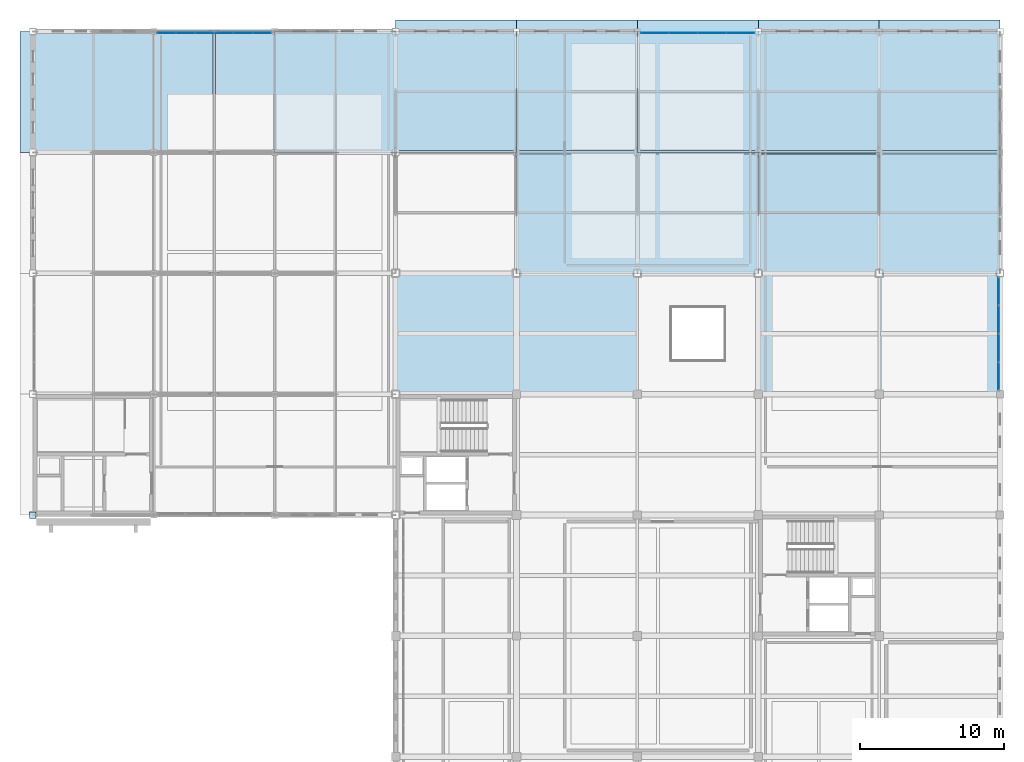
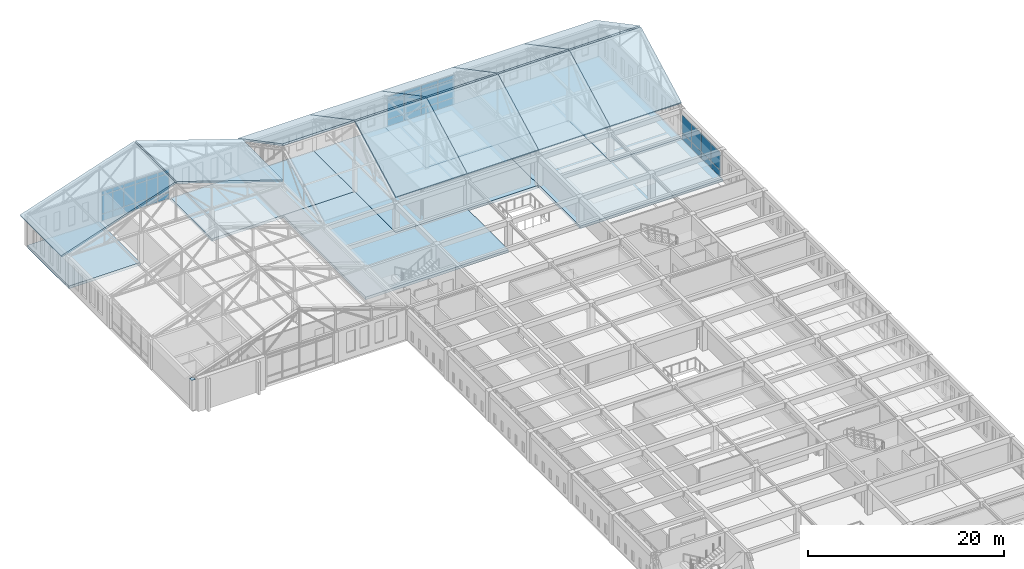
# One storey, part 32 of 56: 39 plates, 17 slabs, 3 elements without a shape of their own.
"""IFC4 building model written with IfcOpenShell, lengths in metres."""

from ifc_helpers import new_model, si_unit, direction, frame, origin, origin_2d, place, context, subcontext, project, spatial, polyline, rectangle, outline, extrude, material, layer, layer_set, type_object, element, aggregate, save


model = new_model("IFC4")

# Units and contexts
model_context = context("Model", 3, precision=1e-05, world=origin(), true_north=direction((0.0, 1.0)))
body_context = subcontext(model_context, "Body", "Model", "MODEL_VIEW")
ifc_project = project(units=[si_unit("LENGTHUNIT", "METRE"), si_unit("AREAUNIT", "SQUARE_METRE"), si_unit("VOLUMEUNIT", "CUBIC_METRE"), si_unit("PLANEANGLEUNIT", "RADIAN"), si_unit("MASSUNIT", "GRAM", prefix="KILO")], contexts=[model_context])

# Site, building, storey
site_placement = place(None, origin())
site = spatial("IfcSite", under=ifc_project, at=site_placement, CompositionType="ELEMENT")
building_placement = place(site_placement, origin())
building = spatial("IfcBuilding", under=site, at=building_placement, Name="Kveldsbrygga Polytechnic", CompositionType="ELEMENT")
storey_placement = place(building_placement, frame((0.0, 0.0, 18.02001953125)))
storey = spatial("IfcBuildingStorey", under=building, at=storey_placement, Name="L04", CompositionType="ELEMENT", Elevation=18.02001953125)

# Plate
ifc_material_1 = material(Name="Steel S355", Category="steel")
ifc_layer_1 = layer(ifc_material_1, 0.030029296875)
ifc_layer_set_1 = layer_set([ifc_layer_1], Name="Steel S355")
plate_type_1 = type_object("IfcPlateType", Name="CAP-BEAR-450", PredefinedType="SHEET", material=ifc_layer_set_1)
plate_1_placement = place(storey_placement, frame((100.800048828125, 84.0, 3.75), z_axis=(0.0, 0.0, 1.0), x_axis=(1.0, 0.0, 0.0)))
element("IfcPlate", 1, at=plate_1_placement, inside=storey, type_object=plate_type_1, Name="Truss Bearing Plate V4NE5-T01-A", PredefinedType="SHEET", context=body_context, shape_type="SweptSolid", body=[
    extrude(rectangle(XDim=0.449951171875, YDim=0.449951171875, at=origin_2d()), origin(), (0.0, 0.0, 1.0), 0.030029296875),
])

# Curtain wall, plates
ifc_material_2 = material(Name="Anodised aluminium AW-6060", Category="aluminium")
ifc_layer_2 = layer(ifc_material_2, 0.179931640625)
ifc_layer_set_2 = layer_set([ifc_layer_2], Name="Anodised aluminium AW-6060")
curtain_wall_type_1 = type_object("IfcCurtainWallType", Name="CW-CONC-A", PredefinedType="USERDEFINED", material=ifc_layer_set_2)
curtain_wall_1_placement = place(storey_placement, origin())
curtain_wall_1 = element("IfcCurtainWall", 2, at=curtain_wall_1_placement, inside=storey, type_object=curtain_wall_type_1, Name="Curtain Wall CW-L04-X-13-14", ObjectType="UNITISED CURTAIN WALL", PredefinedType="USERDEFINED")
ifc_material_3 = material(Name="Insulated triple low-E glass", Category="glass")
ifc_layer_3 = layer(ifc_material_3, 0.035888671875)
ifc_layer_set_3 = layer_set([ifc_layer_3], Name="Insulated triple low-E glass")
plate_type_2 = type_object("IfcPlateType", Name="CW-PAN-VIS36", PredefinedType="CURTAIN_PANEL", material=ifc_layer_set_3)
plate_2_placement = place(storey_placement, frame((110.076171875, 117.5, 0.06005859375), z_axis=(0.0, 0.0, 1.0), x_axis=(1.0, 0.0, 0.0)))
plate_2 = element("IfcPlate", 3, at=plate_2_placement, type_object=plate_type_2, Name="CW-01 panel 1.1", PredefinedType="CURTAIN_PANEL", context=body_context, shape_type="SweptSolid", body=[
    extrude(rectangle(XDim=1.242431640625, YDim=0.035888671875, at=origin_2d()), origin(), (0.0, 0.0, 1.0), 0.81005859375),
])
plate_3_placement = place(storey_placement, frame((110.076171875, 117.5, 0.929931640625), z_axis=(0.0, 0.0, 1.0), x_axis=(1.0, 0.0, 0.0)))
plate_3 = element("IfcPlate", 4, at=plate_3_placement, type_object=plate_type_2, Name="CW-01 panel 1.2", PredefinedType="CURTAIN_PANEL", context=body_context, shape_type="SweptSolid", body=[
    extrude(rectangle(XDim=1.242431640625, YDim=0.035888671875, at=origin_2d()), origin(), (0.0, 0.0, 1.0), 2.27001953125),
])
plate_4_placement = place(storey_placement, frame((110.076171875, 117.5, 3.260009765625), z_axis=(0.0, 0.0, 1.0), x_axis=(1.0, 0.0, 0.0)))
plate_4 = element("IfcPlate", 5, at=plate_4_placement, type_object=plate_type_2, Name="CW-01 panel 1.3", PredefinedType="CURTAIN_PANEL", context=body_context, shape_type="SweptSolid", body=[
    extrude(rectangle(XDim=1.242431640625, YDim=0.035888671875, at=origin_2d()), origin(), (0.0, 0.0, 1.0), 0.4599609375),
])
plate_5_placement = place(storey_placement, frame((111.393798828125, 117.5, 0.06005859375), z_axis=(0.0, 0.0, 1.0), x_axis=(1.0, 0.0, 0.0)))
plate_5 = element("IfcPlate", 6, at=plate_5_placement, type_object=plate_type_2, Name="CW-01 panel 2.1", PredefinedType="CURTAIN_PANEL", context=body_context, shape_type="SweptSolid", body=[
    extrude(rectangle(XDim=1.2724609375, YDim=0.035888671875, at=origin_2d()), origin(), (0.0, 0.0, 1.0), 0.81005859375),
])
plate_6_placement = place(storey_placement, frame((111.393798828125, 117.5, 0.929931640625), z_axis=(0.0, 0.0, 1.0), x_axis=(1.0, 0.0, 0.0)))
plate_6 = element("IfcPlate", 7, at=plate_6_placement, type_object=plate_type_2, Name="CW-01 panel 2.2", PredefinedType="CURTAIN_PANEL", context=body_context, shape_type="SweptSolid", body=[
    extrude(rectangle(XDim=1.2724609375, YDim=0.035888671875, at=origin_2d()), origin(), (0.0, 0.0, 1.0), 2.27001953125),
])
plate_7_placement = place(storey_placement, frame((111.393798828125, 117.5, 3.260009765625), z_axis=(0.0, 0.0, 1.0), x_axis=(1.0, 0.0, 0.0)))
plate_7 = element("IfcPlate", 8, at=plate_7_placement, type_object=plate_type_2, Name="CW-01 panel 2.3", PredefinedType="CURTAIN_PANEL", context=body_context, shape_type="SweptSolid", body=[
    extrude(rectangle(XDim=1.2724609375, YDim=0.035888671875, at=origin_2d()), origin(), (0.0, 0.0, 1.0), 0.4599609375),
])
plate_8_placement = place(storey_placement, frame((112.726318359375, 117.5, 0.06005859375), z_axis=(0.0, 0.0, 1.0), x_axis=(1.0, 0.0, 0.0)))
plate_8 = element("IfcPlate", 9, at=plate_8_placement, type_object=plate_type_2, Name="CW-01 panel 3.1", PredefinedType="CURTAIN_PANEL", context=body_context, shape_type="SweptSolid", body=[
    extrude(rectangle(XDim=1.2724609375, YDim=0.035888671875, at=origin_2d()), origin(), (0.0, 0.0, 1.0), 0.81005859375),
])
plate_9_placement = place(storey_placement, frame((112.726318359375, 117.5, 0.929931640625), z_axis=(0.0, 0.0, 1.0), x_axis=(1.0, 0.0, 0.0)))
plate_9 = element("IfcPlate", 10, at=plate_9_placement, type_object=plate_type_2, Name="CW-01 panel 3.2", PredefinedType="CURTAIN_PANEL", context=body_context, shape_type="SweptSolid", body=[
    extrude(rectangle(XDim=1.2724609375, YDim=0.035888671875, at=origin_2d()), origin(), (0.0, 0.0, 1.0), 2.27001953125),
])
plate_10_placement = place(storey_placement, frame((112.726318359375, 117.5, 3.260009765625), z_axis=(0.0, 0.0, 1.0), x_axis=(1.0, 0.0, 0.0)))
plate_10 = element("IfcPlate", 11, at=plate_10_placement, type_object=plate_type_2, Name="CW-01 panel 3.3", PredefinedType="CURTAIN_PANEL", context=body_context, shape_type="SweptSolid", body=[
    extrude(rectangle(XDim=1.2724609375, YDim=0.035888671875, at=origin_2d()), origin(), (0.0, 0.0, 1.0), 0.4599609375),
])
plate_11_placement = place(storey_placement, frame((114.058837890625, 117.5, 0.06005859375), z_axis=(0.0, 0.0, 1.0), x_axis=(1.0, 0.0, 0.0)))
plate_11 = element("IfcPlate", 12, at=plate_11_placement, type_object=plate_type_2, Name="CW-01 panel 4.1", PredefinedType="CURTAIN_PANEL", context=body_context, shape_type="SweptSolid", body=[
    extrude(rectangle(XDim=1.2724609375, YDim=0.035888671875, at=origin_2d()), origin(), (0.0, 0.0, 1.0), 0.81005859375),
])
plate_12_placement = place(storey_placement, frame((114.058837890625, 117.5, 0.929931640625), z_axis=(0.0, 0.0, 1.0), x_axis=(1.0, 0.0, 0.0)))
plate_12 = element("IfcPlate", 13, at=plate_12_placement, type_object=plate_type_2, Name="CW-01 panel 4.2", PredefinedType="CURTAIN_PANEL", context=body_context, shape_type="SweptSolid", body=[
    extrude(rectangle(XDim=1.2724609375, YDim=0.035888671875, at=origin_2d()), origin(), (0.0, 0.0, 1.0), 2.27001953125),
])
plate_13_placement = place(storey_placement, frame((114.058837890625, 117.5, 3.260009765625), z_axis=(0.0, 0.0, 1.0), x_axis=(1.0, 0.0, 0.0)))
plate_13 = element("IfcPlate", 14, at=plate_13_placement, type_object=plate_type_2, Name="CW-01 panel 4.3", PredefinedType="CURTAIN_PANEL", context=body_context, shape_type="SweptSolid", body=[
    extrude(rectangle(XDim=1.2724609375, YDim=0.035888671875, at=origin_2d()), origin(), (0.0, 0.0, 1.0), 0.4599609375),
])
plate_14_placement = place(storey_placement, frame((115.391357421875, 117.5, 0.06005859375), z_axis=(0.0, 0.0, 1.0), x_axis=(1.0, 0.0, 0.0)))
plate_14 = element("IfcPlate", 15, at=plate_14_placement, type_object=plate_type_2, Name="CW-01 panel 5.1", PredefinedType="CURTAIN_PANEL", context=body_context, shape_type="SweptSolid", body=[
    extrude(rectangle(XDim=1.2724609375, YDim=0.035888671875, at=origin_2d()), origin(), (0.0, 0.0, 1.0), 0.81005859375),
])
plate_15_placement = place(storey_placement, frame((115.391357421875, 117.5, 0.929931640625), z_axis=(0.0, 0.0, 1.0), x_axis=(1.0, 0.0, 0.0)))
plate_15 = element("IfcPlate", 16, at=plate_15_placement, type_object=plate_type_2, Name="CW-01 panel 5.2", PredefinedType="CURTAIN_PANEL", context=body_context, shape_type="SweptSolid", body=[
    extrude(rectangle(XDim=1.2724609375, YDim=0.035888671875, at=origin_2d()), origin(), (0.0, 0.0, 1.0), 2.27001953125),
])
plate_16_placement = place(storey_placement, frame((115.391357421875, 117.5, 3.260009765625), z_axis=(0.0, 0.0, 1.0), x_axis=(1.0, 0.0, 0.0)))
plate_16 = element("IfcPlate", 17, at=plate_16_placement, type_object=plate_type_2, Name="CW-01 panel 5.3", PredefinedType="CURTAIN_PANEL", context=body_context, shape_type="SweptSolid", body=[
    extrude(rectangle(XDim=1.2724609375, YDim=0.035888671875, at=origin_2d()), origin(), (0.0, 0.0, 1.0), 0.4599609375),
])
plate_17_placement = place(storey_placement, frame((116.708740234375, 117.5, 0.06005859375), z_axis=(0.0, 0.0, 1.0), x_axis=(1.0, 0.0, 0.0)))
plate_17 = element("IfcPlate", 18, at=plate_17_placement, type_object=plate_type_2, Name="CW-01 panel 6.1", PredefinedType="CURTAIN_PANEL", context=body_context, shape_type="SweptSolid", body=[
    extrude(rectangle(XDim=1.242431640625, YDim=0.035888671875, at=origin_2d()), origin(), (0.0, 0.0, 1.0), 0.81005859375),
])
plate_18_placement = place(storey_placement, frame((116.708740234375, 117.5, 0.929931640625), z_axis=(0.0, 0.0, 1.0), x_axis=(1.0, 0.0, 0.0)))
plate_18 = element("IfcPlate", 19, at=plate_18_placement, type_object=plate_type_2, Name="CW-01 panel 6.2", PredefinedType="CURTAIN_PANEL", context=body_context, shape_type="SweptSolid", body=[
    extrude(rectangle(XDim=1.242431640625, YDim=0.035888671875, at=origin_2d()), origin(), (0.0, 0.0, 1.0), 2.27001953125),
])
plate_19_placement = place(storey_placement, frame((116.708740234375, 117.5, 3.260009765625), z_axis=(0.0, 0.0, 1.0), x_axis=(1.0, 0.0, 0.0)))
plate_19 = element("IfcPlate", 20, at=plate_19_placement, type_object=plate_type_2, Name="CW-01 panel 6.3", PredefinedType="CURTAIN_PANEL", context=body_context, shape_type="SweptSolid", body=[
    extrude(rectangle(XDim=1.242431640625, YDim=0.035888671875, at=origin_2d()), origin(), (0.0, 0.0, 1.0), 0.4599609375),
])
aggregate(curtain_wall_1, [plate_2, plate_3, plate_4, plate_5, plate_6, plate_7, plate_8, plate_9, plate_10, plate_11, plate_12, plate_13, plate_14, plate_15, plate_16, plate_17, plate_18, plate_19])

ifc_layer_4 = layer(ifc_material_2, 0.199951171875)
ifc_layer_set_4 = layer_set([ifc_layer_4], Name="Anodised aluminium AW-6060")
curtain_wall_type_2 = type_object("IfcCurtainWallType", Name="CW-LANC-E", PredefinedType="USERDEFINED", material=ifc_layer_set_4)
curtain_wall_2_placement = place(storey_placement, origin())
curtain_wall_2 = element("IfcCurtainWall", 21, at=curtain_wall_2_placement, inside=storey, type_object=curtain_wall_type_2, Name="Curtain Wall CW-L04-X-17-14", ObjectType="UNITISED CURTAIN WALL", PredefinedType="USERDEFINED")
ifc_layer_5 = layer(ifc_material_3, 0.0419921875)
ifc_layer_set_5 = layer_set([ifc_layer_5], Name="Insulated triple low-E glass")
plate_type_3 = type_object("IfcPlateType", Name="CW-PAN-VIS42", PredefinedType="CURTAIN_PANEL", material=ifc_layer_set_5)
plate_20_placement = place(storey_placement, frame((144.007568359375, 117.5, 0.06005859375), z_axis=(0.0, 0.0, 1.0), x_axis=(1.0, 0.0, 0.0)))
plate_20 = element("IfcPlate", 22, at=plate_20_placement, type_object=plate_type_3, Name="CW-05 panel 1.1", PredefinedType="CURTAIN_PANEL", context=body_context, shape_type="SweptSolid", body=[
    extrude(rectangle(XDim=1.905029296875, YDim=0.0419921875, at=origin_2d()), origin(), (0.0, 0.0, 1.0), 0.81005859375),
])
plate_21_placement = place(storey_placement, frame((144.007568359375, 117.5, 0.929931640625), z_axis=(0.0, 0.0, 1.0), x_axis=(1.0, 0.0, 0.0)))
plate_21 = element("IfcPlate", 23, at=plate_21_placement, type_object=plate_type_3, Name="CW-05 panel 1.2", PredefinedType="CURTAIN_PANEL", context=body_context, shape_type="SweptSolid", body=[
    extrude(rectangle(XDim=1.905029296875, YDim=0.0419921875, at=origin_2d()), origin(), (0.0, 0.0, 1.0), 2.27001953125),
])
plate_22_placement = place(storey_placement, frame((144.007568359375, 117.5, 3.260009765625), z_axis=(0.0, 0.0, 1.0), x_axis=(1.0, 0.0, 0.0)))
plate_22 = element("IfcPlate", 24, at=plate_22_placement, type_object=plate_type_3, Name="CW-05 panel 1.3", PredefinedType="CURTAIN_PANEL", context=body_context, shape_type="SweptSolid", body=[
    extrude(rectangle(XDim=1.905029296875, YDim=0.0419921875, at=origin_2d()), origin(), (0.0, 0.0, 1.0), 0.4599609375),
])
plate_23_placement = place(storey_placement, frame((145.987548828125, 117.5, 0.06005859375), z_axis=(0.0, 0.0, 1.0), x_axis=(1.0, 0.0, 0.0)))
plate_23 = element("IfcPlate", 25, at=plate_23_placement, type_object=plate_type_3, Name="CW-05 panel 2.1", PredefinedType="CURTAIN_PANEL", context=body_context, shape_type="SweptSolid", body=[
    extrude(rectangle(XDim=1.93505859375, YDim=0.0419921875, at=origin_2d()), origin(), (0.0, 0.0, 1.0), 0.81005859375),
])
plate_24_placement = place(storey_placement, frame((145.987548828125, 117.5, 0.929931640625), z_axis=(0.0, 0.0, 1.0), x_axis=(1.0, 0.0, 0.0)))
plate_24 = element("IfcPlate", 26, at=plate_24_placement, type_object=plate_type_3, Name="CW-05 panel 2.2", PredefinedType="CURTAIN_PANEL", context=body_context, shape_type="SweptSolid", body=[
    extrude(rectangle(XDim=1.93505859375, YDim=0.0419921875, at=origin_2d()), origin(), (0.0, 0.0, 1.0), 2.27001953125),
])
plate_25_placement = place(storey_placement, frame((145.987548828125, 117.5, 3.260009765625), z_axis=(0.0, 0.0, 1.0), x_axis=(1.0, 0.0, 0.0)))
plate_25 = element("IfcPlate", 27, at=plate_25_placement, type_object=plate_type_3, Name="CW-05 panel 2.3", PredefinedType="CURTAIN_PANEL", context=body_context, shape_type="SweptSolid", body=[
    extrude(rectangle(XDim=1.93505859375, YDim=0.0419921875, at=origin_2d()), origin(), (0.0, 0.0, 1.0), 0.4599609375),
])
plate_26_placement = place(storey_placement, frame((147.982421875, 117.5, 0.06005859375), z_axis=(0.0, 0.0, 1.0), x_axis=(1.0, 0.0, 0.0)))
plate_26 = element("IfcPlate", 28, at=plate_26_placement, type_object=plate_type_3, Name="CW-05 panel 3.1", PredefinedType="CURTAIN_PANEL", context=body_context, shape_type="SweptSolid", body=[
    extrude(rectangle(XDim=1.93505859375, YDim=0.0419921875, at=origin_2d()), origin(), (0.0, 0.0, 1.0), 0.81005859375),
])
plate_27_placement = place(storey_placement, frame((147.982421875, 117.5, 0.929931640625), z_axis=(0.0, 0.0, 1.0), x_axis=(1.0, 0.0, 0.0)))
plate_27 = element("IfcPlate", 29, at=plate_27_placement, type_object=plate_type_3, Name="CW-05 panel 3.2", PredefinedType="CURTAIN_PANEL", context=body_context, shape_type="SweptSolid", body=[
    extrude(rectangle(XDim=1.93505859375, YDim=0.0419921875, at=origin_2d()), origin(), (0.0, 0.0, 1.0), 2.27001953125),
])
plate_28_placement = place(storey_placement, frame((147.982421875, 117.5, 3.260009765625), z_axis=(0.0, 0.0, 1.0), x_axis=(1.0, 0.0, 0.0)))
plate_28 = element("IfcPlate", 30, at=plate_28_placement, type_object=plate_type_3, Name="CW-05 panel 3.3", PredefinedType="CURTAIN_PANEL", context=body_context, shape_type="SweptSolid", body=[
    extrude(rectangle(XDim=1.93505859375, YDim=0.0419921875, at=origin_2d()), origin(), (0.0, 0.0, 1.0), 0.4599609375),
])
plate_29_placement = place(storey_placement, frame((149.96240234375, 117.5, 0.06005859375), z_axis=(0.0, 0.0, 1.0), x_axis=(1.0, 0.0, 0.0)))
plate_29 = element("IfcPlate", 31, at=plate_29_placement, type_object=plate_type_3, Name="CW-05 panel 4.1", PredefinedType="CURTAIN_PANEL", context=body_context, shape_type="SweptSolid", body=[
    extrude(rectangle(XDim=1.905029296875, YDim=0.0419921875, at=origin_2d()), origin(), (0.0, 0.0, 1.0), 0.81005859375),
])
plate_30_placement = place(storey_placement, frame((149.96240234375, 117.5, 0.929931640625), z_axis=(0.0, 0.0, 1.0), x_axis=(1.0, 0.0, 0.0)))
plate_30 = element("IfcPlate", 32, at=plate_30_placement, type_object=plate_type_3, Name="CW-05 panel 4.2", PredefinedType="CURTAIN_PANEL", context=body_context, shape_type="SweptSolid", body=[
    extrude(rectangle(XDim=1.905029296875, YDim=0.0419921875, at=origin_2d()), origin(), (0.0, 0.0, 1.0), 2.27001953125),
])
plate_31_placement = place(storey_placement, frame((149.96240234375, 117.5, 3.260009765625), z_axis=(0.0, 0.0, 1.0), x_axis=(1.0, 0.0, 0.0)))
plate_31 = element("IfcPlate", 33, at=plate_31_placement, type_object=plate_type_3, Name="CW-05 panel 4.3", PredefinedType="CURTAIN_PANEL", context=body_context, shape_type="SweptSolid", body=[
    extrude(rectangle(XDim=1.905029296875, YDim=0.0419921875, at=origin_2d()), origin(), (0.0, 0.0, 1.0), 0.4599609375),
])
aggregate(curtain_wall_2, [plate_20, plate_21, plate_22, plate_23, plate_24, plate_25, plate_26, plate_27, plate_28, plate_29, plate_30, plate_31])

curtain_wall_3_placement = place(storey_placement, origin())
curtain_wall_3 = element("IfcCurtainWall", 34, at=curtain_wall_3_placement, inside=storey, type_object=curtain_wall_type_2, Name="Curtain Wall CW-L04-Y-20-11", ObjectType="UNITISED CURTAIN WALL", PredefinedType="USERDEFINED")
plate_32_placement = place(storey_placement, frame((167.89990234375, 93.64697265625, 0.06005859375), z_axis=(0.0, 0.0, 1.0), x_axis=(0.0, 1.0, 0.0)))
plate_32 = element("IfcPlate", 35, at=plate_32_placement, type_object=plate_type_3, Name="CW-05 panel 1.1", PredefinedType="CURTAIN_PANEL", context=body_context, shape_type="SweptSolid", body=[
    extrude(rectangle(XDim=1.8837890625, YDim=0.0419921875, at=origin_2d()), origin(), (0.0, 0.0, 1.0), 0.81005859375),
])
plate_33_placement = place(storey_placement, frame((167.89990234375, 93.64697265625, 0.929931640625), z_axis=(0.0, 0.0, 1.0), x_axis=(0.0, 1.0, 0.0)))
plate_33 = element("IfcPlate", 36, at=plate_33_placement, type_object=plate_type_3, Name="CW-05 panel 1.2", PredefinedType="CURTAIN_PANEL", context=body_context, shape_type="SweptSolid", body=[
    extrude(rectangle(XDim=1.8837890625, YDim=0.0419921875, at=origin_2d()), origin(), (0.0, 0.0, 1.0), 2.18994140625),
])
plate_34_placement = place(storey_placement, frame((167.89990234375, 95.605712890625, 0.06005859375), z_axis=(0.0, 0.0, 1.0), x_axis=(0.0, 1.0, 0.0)))
plate_34 = element("IfcPlate", 37, at=plate_34_placement, type_object=plate_type_3, Name="CW-05 panel 2.1", PredefinedType="CURTAIN_PANEL", context=body_context, shape_type="SweptSolid", body=[
    extrude(rectangle(XDim=1.913818359375, YDim=0.0419921875, at=origin_2d()), origin(), (0.0, 0.0, 1.0), 0.81005859375),
])
plate_35_placement = place(storey_placement, frame((167.89990234375, 95.605712890625, 0.929931640625), z_axis=(0.0, 0.0, 1.0), x_axis=(0.0, 1.0, 0.0)))
plate_35 = element("IfcPlate", 38, at=plate_35_placement, type_object=plate_type_3, Name="CW-05 panel 2.2", PredefinedType="CURTAIN_PANEL", context=body_context, shape_type="SweptSolid", body=[
    extrude(rectangle(XDim=1.913818359375, YDim=0.0419921875, at=origin_2d()), origin(), (0.0, 0.0, 1.0), 2.18994140625),
])
plate_36_placement = place(storey_placement, frame((167.89990234375, 97.579345703125, 0.06005859375), z_axis=(0.0, 0.0, 1.0), x_axis=(0.0, 1.0, 0.0)))
plate_36 = element("IfcPlate", 39, at=plate_36_placement, type_object=plate_type_3, Name="CW-05 panel 3.1", PredefinedType="CURTAIN_PANEL", context=body_context, shape_type="SweptSolid", body=[
    extrude(rectangle(XDim=1.913818359375, YDim=0.0419921875, at=origin_2d()), origin(), (0.0, 0.0, 1.0), 0.81005859375),
])
plate_37_placement = place(storey_placement, frame((167.89990234375, 97.579345703125, 0.929931640625), z_axis=(0.0, 0.0, 1.0), x_axis=(0.0, 1.0, 0.0)))
plate_37 = element("IfcPlate", 40, at=plate_37_placement, type_object=plate_type_3, Name="CW-05 panel 3.2", PredefinedType="CURTAIN_PANEL", context=body_context, shape_type="SweptSolid", body=[
    extrude(rectangle(XDim=1.913818359375, YDim=0.0419921875, at=origin_2d()), origin(), (0.0, 0.0, 1.0), 2.18994140625),
])
plate_38_placement = place(storey_placement, frame((167.89990234375, 99.5380859375, 0.06005859375), z_axis=(0.0, 0.0, 1.0), x_axis=(0.0, 1.0, 0.0)))
plate_38 = element("IfcPlate", 41, at=plate_38_placement, type_object=plate_type_3, Name="CW-05 panel 4.1", PredefinedType="CURTAIN_PANEL", context=body_context, shape_type="SweptSolid", body=[
    extrude(rectangle(XDim=1.8837890625, YDim=0.0419921875, at=origin_2d()), origin(), (0.0, 0.0, 1.0), 0.81005859375),
])
plate_39_placement = place(storey_placement, frame((167.89990234375, 99.5380859375, 0.929931640625), z_axis=(0.0, 0.0, 1.0), x_axis=(0.0, 1.0, 0.0)))
plate_39 = element("IfcPlate", 42, at=plate_39_placement, type_object=plate_type_3, Name="CW-05 panel 4.2", PredefinedType="CURTAIN_PANEL", context=body_context, shape_type="SweptSolid", body=[
    extrude(rectangle(XDim=1.8837890625, YDim=0.0419921875, at=origin_2d()), origin(), (0.0, 0.0, 1.0), 2.18994140625),
])
aggregate(curtain_wall_3, [plate_32, plate_33, plate_34, plate_35, plate_36, plate_37, plate_38, plate_39])

# Slabs
ifc_material_4 = material(Name="Concrete C35/45", Category="concrete")
ifc_layer_6 = layer(ifc_material_4, 0.219970703125)
ifc_layer_set_6 = layer_set([ifc_layer_6], Name="Concrete C35/45")
slab_type_1 = type_object("IfcSlabType", Name="SLB-ROOF-220", PredefinedType="ROOF", material=ifc_layer_set_6)
slab_1_placement = place(storey_placement, frame((99.89990234375, 109.199951171875, 4.09130859375), z_axis=(-0.316232947327, 0.0, 0.948681570931), x_axis=(0.948681570931, 0.0, 0.316232947327)))
element("IfcSlab", 43, at=slab_1_placement, inside=storey, type_object=slab_type_1, Name="Pitched Roof Slab V4NE5-RSLB-4-1", PredefinedType="ROOF", context=body_context, shape_type="SweptSolid", body=[
    extrude(outline(polyline([(0.0, 0.0), (14.135828924621222, 0.0), (14.135828924621222, 8.400146484375), (0.0, 8.400146484375), (0.0, 0.0)])), origin(), (0.0, 0.0, -1.0), 0.219970703125),
])
slab_2_placement = place(storey_placement, frame((113.489501953125, 109.199951171875, 8.5615234375), z_axis=(0.316227766017, 0.0, 0.948683298051), x_axis=(0.948683298051, 0.0, -0.316227766017)))
element("IfcSlab", 44, at=slab_2_placement, inside=storey, type_object=slab_type_1, Name="Pitched Roof Slab V4NE5-RSLB-4-2", PredefinedType="ROOF", context=body_context, shape_type="SweptSolid", body=[
    extrude(outline(polyline([(0.0, 0.0), (13.18722283040432, 0.0), (13.18722283040432, 8.400146484375), (0.0, 8.400146484375), (0.0, 0.0)])), origin(), (0.0, 0.0, -1.0), 0.219970703125),
])
slab_3_placement = place(storey_placement, frame((126.0, 109.322998046875, 8.79296875), z_axis=(0.0, 0.468147600542, 0.883650283827), x_axis=(1.0, 0.0, 0.0)))
element("IfcSlab", 45, at=slab_3_placement, inside=storey, type_object=slab_type_1, Name="Pitched Roof Slab V4N5-RSLB-1-2", PredefinedType="ROOF", context=body_context, shape_type="SweptSolid", body=[
    extrude(outline(polyline([(0.0, 0.0), (8.39990234375, 0.0), (8.39990234375, 10.272054978091703), (0.0, 10.272054978091703), (0.0, 0.0)])), origin(), (0.0, 0.0, -1.0), 0.219970703125),
])
slab_4_placement = place(storey_placement, frame((134.39990234375, 100.800048828125, 4.407958984375), z_axis=(0.0, -0.468149968115, 0.88364902951), x_axis=(1.0, 0.0, 0.0)))
element("IfcSlab", 46, at=slab_4_placement, inside=storey, type_object=slab_type_1, Name="Pitched Roof Slab V4N5-RSLB-2-1", PredefinedType="ROOF", context=body_context, shape_type="SweptSolid", body=[
    extrude(outline(polyline([(0.0, 0.0), (8.400146484375, 0.0), (8.400146484375, 9.36667748431659), (0.0, 9.36667748431659), (0.0, 0.0)])), origin(), (0.0, 0.0, -1.0), 0.219970703125),
])
slab_5_placement = place(storey_placement, frame((134.39990234375, 109.322998046875, 8.79296875), z_axis=(0.0, 0.468147600542, 0.883650283827), x_axis=(1.0, 0.0, 0.0)))
element("IfcSlab", 47, at=slab_5_placement, inside=storey, type_object=slab_type_1, Name="Pitched Roof Slab V4N5-RSLB-2-2", PredefinedType="ROOF", context=body_context, shape_type="SweptSolid", body=[
    extrude(outline(polyline([(0.0, 0.0), (8.400146484375, 0.0), (8.400146484375, 10.272054978091703), (0.0, 10.272054978091703), (0.0, 0.0)])), origin(), (0.0, 0.0, -1.0), 0.219970703125),
])
slab_6_placement = place(storey_placement, frame((142.800048828125, 100.800048828125, 4.407958984375), z_axis=(0.0, -0.468149968115, 0.88364902951), x_axis=(1.0, 0.0, 0.0)))
element("IfcSlab", 48, at=slab_6_placement, inside=storey, type_object=slab_type_1, Name="Pitched Roof Slab V4N5-RSLB-3-1", PredefinedType="ROOF", context=body_context, shape_type="SweptSolid", body=[
    extrude(outline(polyline([(0.0, 0.0), (8.39990234375, 0.0), (8.39990234375, 9.36667748431659), (0.0, 9.36667748431659), (0.0, 0.0)])), origin(), (0.0, 0.0, -1.0), 0.219970703125),
])
slab_7_placement = place(storey_placement, frame((142.800048828125, 109.322998046875, 8.79296875), z_axis=(0.0, 0.468147600542, 0.883650283827), x_axis=(1.0, 0.0, 0.0)))
element("IfcSlab", 49, at=slab_7_placement, inside=storey, type_object=slab_type_1, Name="Pitched Roof Slab V4N5-RSLB-3-2", PredefinedType="ROOF", context=body_context, shape_type="SweptSolid", body=[
    extrude(outline(polyline([(0.0, 0.0), (8.39990234375, 0.0), (8.39990234375, 10.272054978091703), (0.0, 10.272054978091703), (0.0, 0.0)])), origin(), (0.0, 0.0, -1.0), 0.219970703125),
])
slab_8_placement = place(storey_placement, frame((151.199951171875, 100.800048828125, 4.407958984375), z_axis=(0.0, -0.468149968115, 0.88364902951), x_axis=(1.0, 0.0, 0.0)))
element("IfcSlab", 50, at=slab_8_placement, inside=storey, type_object=slab_type_1, Name="Pitched Roof Slab V4N5-RSLB-4-1", PredefinedType="ROOF", context=body_context, shape_type="SweptSolid", body=[
    extrude(outline(polyline([(0.0, 0.0), (8.400146484375, 0.0), (8.400146484375, 9.36667748431659), (0.0, 9.36667748431659), (0.0, 0.0)])), origin(), (0.0, 0.0, -1.0), 0.219970703125),
])
slab_9_placement = place(storey_placement, frame((151.199951171875, 109.322998046875, 8.79296875), z_axis=(0.0, 0.468147600542, 0.883650283827), x_axis=(1.0, 0.0, 0.0)))
element("IfcSlab", 51, at=slab_9_placement, inside=storey, type_object=slab_type_1, Name="Pitched Roof Slab V4N5-RSLB-4-2", PredefinedType="ROOF", context=body_context, shape_type="SweptSolid", body=[
    extrude(outline(polyline([(0.0, 0.0), (8.400146484375, 0.0), (8.400146484375, 10.272054978091703), (0.0, 10.272054978091703), (0.0, 0.0)])), origin(), (0.0, 0.0, -1.0), 0.219970703125),
])
slab_10_placement = place(storey_placement, frame((159.60009765625, 100.800048828125, 4.407958984375), z_axis=(0.0, -0.468149968115, 0.88364902951), x_axis=(1.0, 0.0, 0.0)))
element("IfcSlab", 52, at=slab_10_placement, inside=storey, type_object=slab_type_1, Name="Pitched Roof Slab V4N5-RSLB-5-1", PredefinedType="ROOF", context=body_context, shape_type="SweptSolid", body=[
    extrude(outline(polyline([(0.0, 0.0), (8.39990234375, 0.0), (8.39990234375, 9.36667748431659), (0.0, 9.36667748431659), (0.0, 0.0)])), origin(), (0.0, 0.0, -1.0), 0.219970703125),
])
slab_11_placement = place(storey_placement, frame((159.60009765625, 109.322998046875, 8.79296875), z_axis=(0.0, 0.468147600542, 0.883650283827), x_axis=(1.0, 0.0, 0.0)))
element("IfcSlab", 53, at=slab_11_placement, inside=storey, type_object=slab_type_1, Name="Pitched Roof Slab V4N5-RSLB-5-2", PredefinedType="ROOF", context=body_context, shape_type="SweptSolid", body=[
    extrude(outline(polyline([(0.0, 0.0), (8.39990234375, 0.0), (8.39990234375, 10.272054978091703), (0.0, 10.272054978091703), (0.0, 0.0)])), origin(), (0.0, 0.0, -1.0), 0.219970703125),
])
ifc_layer_7 = layer(ifc_material_4, 0.330078125)
ifc_layer_set_7 = layer_set([ifc_layer_7], Name="Concrete C35/45")
slab_type_2 = type_object("IfcSlabType", Name="SLB-STACK-330", PredefinedType="FLOOR", material=ifc_layer_set_7)
slab_12_placement = place(storey_placement, frame((0.0, 0.0, -0.330078125)))
element("IfcSlab", 54, at=slab_12_placement, inside=storey, type_object=slab_type_2, Name="Slab SLB-L04-V4-L06-1", PredefinedType="FLOOR", context=body_context, shape_type="SweptSolid", body=[
    extrude(outline(polyline([(126.0, 92.39990234375), (126.0, 100.800048828125), (126.0, 109.199951171875), (134.39990234375, 109.199951171875), (134.39990234375, 100.800048828125), (142.800048828125, 100.800048828125), (142.800048828125, 92.39990234375), (134.39990234375, 92.39990234375), (126.0, 92.39990234375)])), origin(), (0.0, 0.0, 1.0), 0.330078125),
])
slab_13_placement = place(storey_placement, frame((0.0, 0.0, -0.330078125)))
element("IfcSlab", 55, at=slab_13_placement, inside=storey, type_object=slab_type_2, Name="Slab SLB-L04-V4-L09-1", PredefinedType="FLOOR", context=body_context, shape_type="SweptSolid", body=[
    extrude(outline(polyline([(134.39990234375, 100.800048828125), (134.39990234375, 109.199951171875), (134.39990234375, 117.60009765625), (142.800048828125, 117.60009765625), (142.800048828125, 109.199951171875), (151.199951171875, 109.199951171875), (151.199951171875, 100.800048828125), (142.800048828125, 100.800048828125), (134.39990234375, 100.800048828125)])), origin(), (0.0, 0.0, 1.0), 0.330078125),
])
slab_14_placement = place(storey_placement, frame((0.0, 0.0, -0.330078125)))
element("IfcSlab", 56, at=slab_14_placement, inside=storey, type_object=slab_type_2, Name="Slab SLB-L04-V4-L14-1", PredefinedType="FLOOR", context=body_context, shape_type="SweptSolid", body=[
    extrude(outline(polyline([(151.199951171875, 92.39990234375), (151.199951171875, 100.800048828125), (151.199951171875, 109.199951171875), (159.60009765625, 109.199951171875), (159.60009765625, 100.800048828125), (168.0, 100.800048828125), (168.0, 92.39990234375), (159.60009765625, 92.39990234375), (151.199951171875, 92.39990234375)])), origin(), (0.0, 0.0, 1.0), 0.330078125),
])
slab_15_placement = place(storey_placement, frame((0.0, 0.0, -0.330078125)))
element("IfcSlab", 57, at=slab_15_placement, inside=storey, type_object=slab_type_2, Name="Slab SLB-L04-V4-Z8-2", PredefinedType="FLOOR", context=body_context, shape_type="SweptSolid", body=[
    extrude(outline(polyline([(100.800048828125, 117.60009765625), (109.199951171875, 117.60009765625), (109.199951171875, 109.199951171875), (100.800048828125, 109.199951171875), (100.800048828125, 117.60009765625)])), origin(), (0.0, 0.0, 1.0), 0.330078125),
])
slab_16_placement = place(storey_placement, frame((0.0, 0.0, -0.330078125)))
element("IfcSlab", 58, at=slab_16_placement, inside=storey, type_object=slab_type_2, Name="Slab SLB-L04-V4-Z9-3", PredefinedType="FLOOR", context=body_context, shape_type="SweptSolid", body=[
    extrude(outline(polyline([(168.0, 100.800048828125), (159.60009765625, 100.800048828125), (159.60009765625, 109.199951171875), (151.199951171875, 109.199951171875), (142.800048828125, 109.199951171875), (142.800048828125, 117.60009765625), (151.199951171875, 117.60009765625), (159.60009765625, 117.60009765625), (168.0, 117.60009765625), (168.0, 109.199951171875), (168.0, 100.800048828125)])), origin(), (0.0, 0.0, 1.0), 0.330078125),
])
slab_17_placement = place(storey_placement, frame((0.0, 0.0, -0.330078125)))
element("IfcSlab", 59, at=slab_17_placement, inside=storey, type_object=slab_type_2, Name="Slab SLB-L04-V4-Z9-4", PredefinedType="FLOOR", context=body_context, shape_type="SweptSolid", body=[
    extrude(outline(polyline([(126.0, 117.60009765625), (134.39990234375, 117.60009765625), (134.39990234375, 109.199951171875), (126.0, 109.199951171875), (117.60009765625, 109.199951171875), (117.60009765625, 117.60009765625), (126.0, 117.60009765625)])), origin(), (0.0, 0.0, 1.0), 0.330078125),
])

save(model, "model.ifc")
